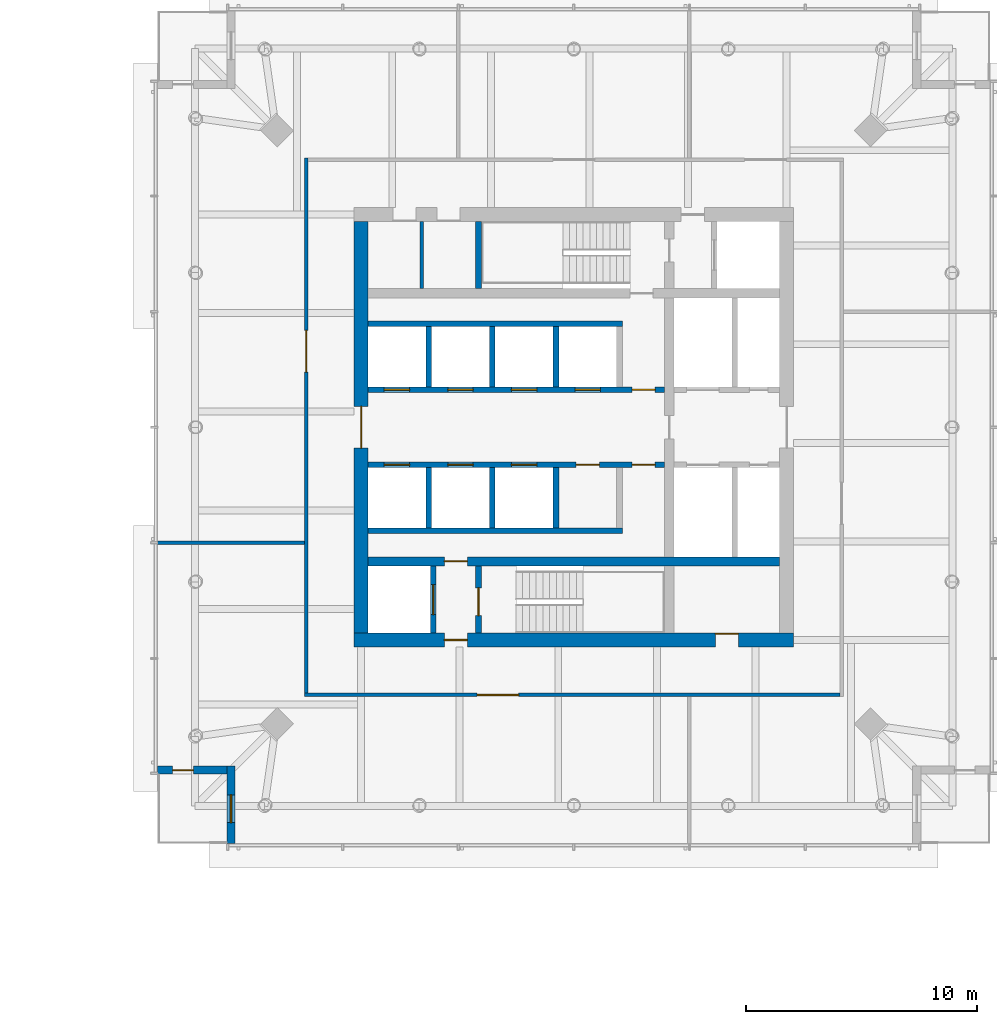
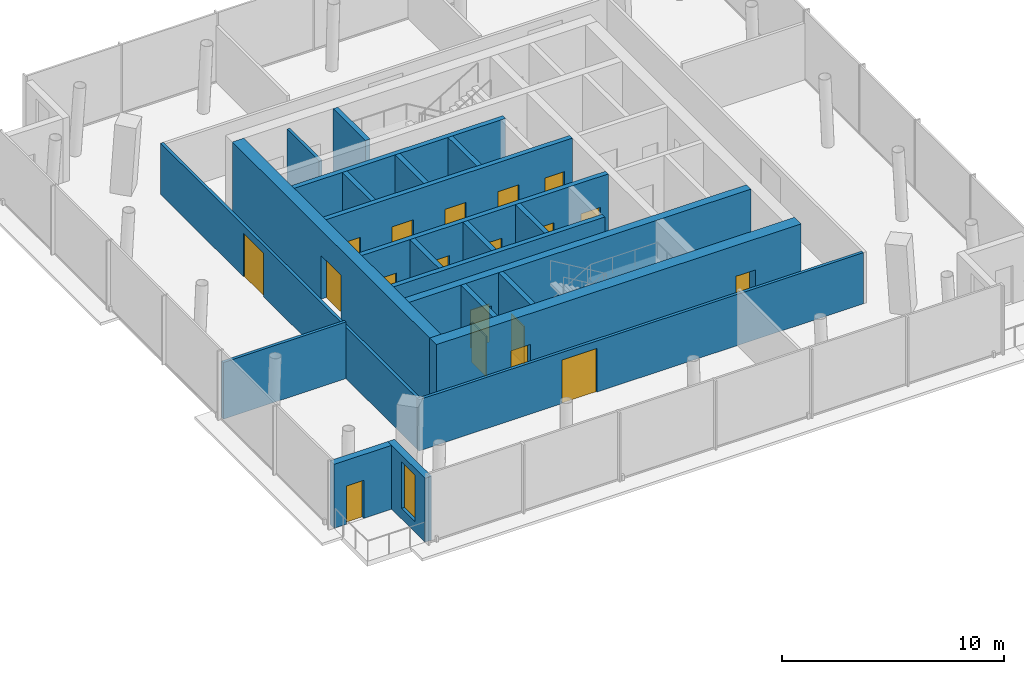
# One storey, part 13 of 28: 22 walls, 19 doors, 1 window, 20 openings.
"""IFC4 building model written with IfcOpenShell, lengths in metres."""

from ifc_helpers import new_model, si_unit, direction, frame, frame_2d, origin, place, context, subcontext, project, spatial, rectangle, extrude, material, layer, layer_set, type_object, element, fill, save


model = new_model("IFC4")

# Units and contexts
model_context = context("Model", 3, precision=1e-05, world=origin(), true_north=direction((0.0, 1.0)))
body_context = subcontext(model_context, "Body", "Model", "MODEL_VIEW")
ifc_project = project(units=[si_unit("LENGTHUNIT", "METRE"), si_unit("AREAUNIT", "SQUARE_METRE"), si_unit("VOLUMEUNIT", "CUBIC_METRE"), si_unit("PLANEANGLEUNIT", "RADIAN"), si_unit("MASSUNIT", "GRAM", prefix="KILO")], contexts=[model_context])

# Site, building, storey
site_placement = place(None, origin())
site = spatial("IfcSite", under=ifc_project, at=site_placement, CompositionType="ELEMENT")
building_placement = place(site_placement, origin())
building = spatial("IfcBuilding", under=site, at=building_placement, Name="Ostroluk Exchange", CompositionType="ELEMENT")
storey_placement = place(building_placement, frame((0.0, 0.0, 81.800048828125)))
storey = spatial("IfcBuildingStorey", under=building, at=storey_placement, Name="L20", CompositionType="ELEMENT", Elevation=81.800048828125)

# Wall
ifc_material_1 = material(Name="Concrete blockwork", Category="masonry")
ifc_layer_1 = layer(ifc_material_1, 0.14990234375)
ifc_layer_set_1 = layer_set([ifc_layer_1], Name="Blockwork plant room wall 150")
wall_type_1 = type_object("IfcWallType", Name="Blockwork plant room wall 150", PredefinedType="SOLIDWALL", material=ifc_layer_set_1)
wall_1_placement = place(storey_placement, frame((110.425048828125, 52.0, 0.0), z_axis=(0.0, 0.0, 1.0), x_axis=(0.0, 1.0, 0.0)))
element("IfcWall", 1, at=wall_1_placement, inside=storey, type_object=wall_type_1, Name="Core room wall", PredefinedType="SOLIDWALL", context=body_context, shape_type="SweptSolid", body=[
    extrude(rectangle(XDim=2.89990234375, YDim=0.14990234375, at=frame_2d((1.449951171875, 0.0))), origin(), (0.0, 0.0, 1.0), 3.52001953125),
])

# Wall, opening, door
ifc_material_2 = material(Name="Concrete C50/60", Category="concrete")
ifc_layer_2 = layer(ifc_material_2, 0.39990234375)
ifc_layer_set_2 = layer_set([ifc_layer_2], Name="Core cross wall 400 C50/60")
wall_type_2 = type_object("IfcWallType", Name="Core cross wall 400 C50/60", PredefinedType="SHEAR", material=ifc_layer_set_2)
wall_2_placement = place(storey_placement, frame((108.10009765625, 40.199951171875, 0.0), z_axis=(0.0, 0.0, 1.0), x_axis=(1.0, 0.0, 0.0)))
wall_2 = element("IfcWall", 2, at=wall_2_placement, inside=storey, type_object=wall_type_2, Name="T2 core wall XS", PredefinedType="SHEAR", context=body_context, shape_type="SweptSolid", body=[
    extrude(rectangle(XDim=17.7998046875, YDim=0.39990234375, at=frame_2d((8.89990234375, 0.0))), origin(), (0.0, 0.0, 1.0), 3.800048828125),
])
opening_1_placement = place(wall_2_placement, frame((3.300048828125, 0.0, 0.0)))
opening_1 = element("IfcOpeningElement", 3, at=opening_1_placement, cuts=wall_2, Name="Opening FD60", PredefinedType="OPENING", context=body_context, shape_type="SweptSolid", body=[
    extrude(rectangle(XDim=1.0, YDim=2.10009765625, at=frame_2d((0.5, 1.050048828125))), frame((0.0, 0.2099609375, 0.0), z_axis=(0.0, -1.0, 0.0), x_axis=(1.0, 0.0, 0.0)), (0.0, 0.0, 1.0), 0.419921875),
])
ifc_material_3 = material(Name="Steel", Category="steel")
door_type_1 = type_object("IfcDoorType", Name="Fire door EI 60 1000 x 2100", OperationType="SINGLE_SWING_LEFT", PredefinedType="DOOR", material=ifc_material_3)
door_1_placement = place(opening_1_placement, origin())
door_1 = element("IfcDoor", 4, at=door_1_placement, inside=storey, type_object=door_type_1, Name="Core link door", OperationType="SINGLE_SWING_LEFT", OverallHeight=2.10009765625, OverallWidth=1.0, PredefinedType="DOOR", context=body_context, shape_type="SweptSolid", body=[
    extrude(rectangle(XDim=1.0, YDim=2.10009765625, at=frame_2d((0.5, 1.050048828125))), frame((0.0, 0.02490234375, 0.0), z_axis=(0.0, -1.0, 0.0), x_axis=(1.0, 0.0, 0.0)), (0.0, 0.0, 1.0), 0.050048828125),
])
fill(opening_1, door_1)

ifc_material_4 = material(Name="Concrete C40/50", Category="concrete")
ifc_layer_3 = layer(ifc_material_4, 0.25)
ifc_layer_set_3 = layer_set([ifc_layer_3], Name="Core shaft wall 250")
wall_type_3 = type_object("IfcWallType", Name="Core shaft wall 250", PredefinedType="SHEAR", material=ifc_layer_set_3)
wall_3_placement = place(storey_placement, frame((110.925048828125, 37.10009765625, 0.0), z_axis=(0.0, 0.0, 1.0), x_axis=(0.0, 1.0, 0.0)))
wall_3 = element("IfcWall", 5, at=wall_3_placement, inside=storey, type_object=wall_type_3, Name="Firefighting lift shaft wall", PredefinedType="SHEAR", context=body_context, shape_type="SweptSolid", body=[
    extrude(rectangle(XDim=2.89990234375, YDim=0.25, at=frame_2d((1.449951171875, 0.0))), origin(), (0.0, 0.0, 1.0), 3.800048828125),
])
opening_2_placement = place(wall_3_placement, frame((0.800048828125, 0.0, 0.0)))
opening_2 = element("IfcOpeningElement", 6, at=opening_2_placement, cuts=wall_3, Name="Opening LD2", PredefinedType="OPENING", context=body_context, shape_type="SweptSolid", body=[
    extrude(rectangle(XDim=1.300048828125, YDim=2.199951171875, at=frame_2d((0.64990234375, 1.10009765625))), frame((0.0, 0.135009765625, 0.0), z_axis=(0.0, -1.0, 0.0), x_axis=(1.0, 0.0, 0.0)), (0.0, 0.0, 1.0), 0.27001953125),
])
ifc_material_5 = material(Name="Stainless steel", Category="steel")
door_type_2 = type_object("IfcDoorType", Name="Lift landing door E 60 1300 x 2200", OperationType="DOUBLE_DOOR_SLIDING", PredefinedType="DOOR", material=ifc_material_5)
door_2_placement = place(opening_2_placement, origin())
door_2 = element("IfcDoor", 7, at=door_2_placement, inside=storey, type_object=door_type_2, Name="Lift HF1 landing door", OperationType="DOUBLE_DOOR_SLIDING", OverallHeight=2.199951171875, OverallWidth=1.300048828125, PredefinedType="DOOR", context=body_context, shape_type="SweptSolid", body=[
    extrude(rectangle(XDim=1.300048828125, YDim=2.199951171875, at=frame_2d((0.64990234375, 1.10009765625))), frame((0.0, 0.02490234375, 0.0), z_axis=(0.0, -1.0, 0.0), x_axis=(1.0, 0.0, 0.0)), (0.0, 0.0, 1.0), 0.050048828125),
])
fill(opening_2, door_2)

wall_4_placement = place(storey_placement, frame((112.875, 37.10009765625, 0.0), z_axis=(0.0, 0.0, 1.0), x_axis=(0.0, 1.0, 0.0)))
wall_4 = element("IfcWall", 8, at=wall_4_placement, inside=storey, type_object=wall_type_3, Name="Stair shaft wall", PredefinedType="SHEAR", context=body_context, shape_type="SweptSolid", body=[
    extrude(rectangle(XDim=2.89990234375, YDim=0.25, at=frame_2d((1.449951171875, 0.0))), origin(), (0.0, 0.0, 1.0), 3.800048828125),
])
opening_3_placement = place(wall_4_placement, frame((0.75, 0.0, 0.0)))
opening_3 = element("IfcOpeningElement", 9, at=opening_3_placement, cuts=wall_4, Name="Opening FD60S", PredefinedType="OPENING", context=body_context, shape_type="SweptSolid", body=[
    extrude(rectangle(XDim=1.199951171875, YDim=2.10009765625, at=frame_2d((0.60009765625, 1.050048828125))), frame((0.0, 0.135009765625, 0.0), z_axis=(0.0, -1.0, 0.0), x_axis=(1.0, 0.0, 0.0)), (0.0, 0.0, 1.0), 0.27001953125),
])
ifc_material_6 = material(Name="Steel", Category="steel")
door_type_3 = type_object("IfcDoorType", Name="Stair door EI 60 1200 x 2100", OperationType="SINGLE_SWING_LEFT", PredefinedType="DOOR", material=ifc_material_6)
door_3_placement = place(opening_3_placement, origin())
door_3 = element("IfcDoor", 10, at=door_3_placement, inside=storey, type_object=door_type_3, Name="Stair T2-S1 door", OperationType="SINGLE_SWING_LEFT", OverallHeight=2.10009765625, OverallWidth=1.199951171875, PredefinedType="DOOR", context=body_context, shape_type="SweptSolid", body=[
    extrude(rectangle(XDim=1.199951171875, YDim=2.10009765625, at=frame_2d((0.60009765625, 1.050048828125))), frame((0.0, 0.02490234375, 0.0), z_axis=(0.0, -1.0, 0.0), x_axis=(1.0, 0.0, 0.0)), (0.0, 0.0, 1.0), 0.050048828125),
])
fill(opening_3, door_3)

# Walls
wall_5_placement = place(storey_placement, frame((112.875, 52.0, 0.0), z_axis=(0.0, 0.0, 1.0), x_axis=(0.0, 1.0, 0.0)))
element("IfcWall", 11, at=wall_5_placement, inside=storey, type_object=wall_type_3, Name="Stair shaft wall", PredefinedType="SHEAR", context=body_context, shape_type="SweptSolid", body=[
    extrude(rectangle(XDim=2.89990234375, YDim=0.25, at=frame_2d((1.449951171875, 0.0))), origin(), (0.0, 0.0, 1.0), 3.800048828125),
])
for number, where, z_axis, x_axis, name in (
    (12, (110.72509765625, 47.75, 0.0), (0.0, 0.0, 1.0), (0.0, 1.0, 0.0), "Lift shaft wall"),
    (13, (113.47509765625, 47.75, 0.0), (0.0, 0.0, 1.0), (0.0, 1.0, 0.0), "Lift shaft wall"),
    (14, (116.22509765625, 47.75, 0.0), (0.0, 0.0, 1.0), (0.0, 1.0, 0.0), "Lift shaft wall"),
):
    element("IfcWall", number, at=place(storey_placement, frame(where, z_axis=z_axis, x_axis=x_axis)), inside=storey, type_object=wall_type_3, Name=name, PredefinedType="SHEAR", context=body_context, shape_type="SweptSolid", body=[
        extrude(rectangle(XDim=2.60009765625, YDim=0.25, at=frame_2d((1.300048828125, 0.0))), origin(), (0.0, 0.0, 1.0), 3.800048828125),
    ])
wall_6_placement = place(storey_placement, frame((108.10009765625, 50.47509765625, 0.0), z_axis=(0.0, 0.0, 1.0), x_axis=(1.0, 0.0, 0.0)))
element("IfcWall", 15, at=wall_6_placement, inside=storey, type_object=wall_type_3, Name="Lift shaft wall", PredefinedType="SHEAR", context=body_context, shape_type="SweptSolid", body=[
    extrude(rectangle(XDim=11.0, YDim=0.25, at=frame_2d((5.5, 0.0))), origin(), (0.0, 0.0, 1.0), 3.800048828125),
])

# Wall, openings, doors
wall_7_placement = place(storey_placement, frame((108.10009765625, 47.625, 0.0), z_axis=(0.0, 0.0, 1.0), x_axis=(1.0, 0.0, 0.0)))
wall_7 = element("IfcWall", 16, at=wall_7_placement, inside=storey, type_object=wall_type_3, Name="Lift shaft front wall", PredefinedType="SHEAR", context=body_context, shape_type="SweptSolid", body=[
    extrude(rectangle(XDim=12.829833984375, YDim=0.25, at=frame_2d((6.4150390625, 0.0))), origin(), (0.0, 0.0, 1.0), 3.800048828125),
])
opening_4_placement = place(wall_7_placement, frame((0.699951171875, 0.0, 0.0)))
opening_4 = element("IfcOpeningElement", 17, at=opening_4_placement, cuts=wall_7, Name="Opening LD", PredefinedType="OPENING", context=body_context, shape_type="SweptSolid", body=[
    extrude(rectangle(XDim=1.10009765625, YDim=2.199951171875, at=frame_2d((0.550048828125, 1.10009765625))), frame((0.0, 0.135009765625, 0.0), z_axis=(0.0, -1.0, 0.0), x_axis=(1.0, 0.0, 0.0)), (0.0, 0.0, 1.0), 0.27001953125),
])
opening_5_placement = place(wall_7_placement, frame((3.449951171875, 0.0, 0.0)))
opening_5 = element("IfcOpeningElement", 18, at=opening_5_placement, cuts=wall_7, Name="Opening LD", PredefinedType="OPENING", context=body_context, shape_type="SweptSolid", body=[
    extrude(rectangle(XDim=1.10009765625, YDim=2.199951171875, at=frame_2d((0.550048828125, 1.10009765625))), frame((0.0, 0.135009765625, 0.0), z_axis=(0.0, -1.0, 0.0), x_axis=(1.0, 0.0, 0.0)), (0.0, 0.0, 1.0), 0.27001953125),
])
opening_6_placement = place(wall_7_placement, frame((6.199951171875, 0.0, 0.0)))
opening_6 = element("IfcOpeningElement", 19, at=opening_6_placement, cuts=wall_7, Name="Opening LD", PredefinedType="OPENING", context=body_context, shape_type="SweptSolid", body=[
    extrude(rectangle(XDim=1.10009765625, YDim=2.199951171875, at=frame_2d((0.550048828125, 1.10009765625))), frame((0.0, 0.135009765625, 0.0), z_axis=(0.0, -1.0, 0.0), x_axis=(1.0, 0.0, 0.0)), (0.0, 0.0, 1.0), 0.27001953125),
])
opening_7_placement = place(wall_7_placement, frame((8.949951171875, 0.0, 0.0)))
opening_7 = element("IfcOpeningElement", 20, at=opening_7_placement, cuts=wall_7, Name="Opening LD", PredefinedType="OPENING", context=body_context, shape_type="SweptSolid", body=[
    extrude(rectangle(XDim=1.10009765625, YDim=2.199951171875, at=frame_2d((0.550048828125, 1.10009765625))), frame((0.0, 0.135009765625, 0.0), z_axis=(0.0, -1.0, 0.0), x_axis=(1.0, 0.0, 0.0)), (0.0, 0.0, 1.0), 0.27001953125),
])
opening_8_placement = place(wall_7_placement, frame((11.4150390625, 0.0, 0.0)))
opening_8 = element("IfcOpeningElement", 21, at=opening_8_placement, cuts=wall_7, Name="Opening FD60", PredefinedType="OPENING", context=body_context, shape_type="SweptSolid", body=[
    extrude(rectangle(XDim=1.0, YDim=2.10009765625, at=frame_2d((0.5, 1.050048828125))), frame((0.0, 0.135009765625, 0.0), z_axis=(0.0, -1.0, 0.0), x_axis=(1.0, 0.0, 0.0)), (0.0, 0.0, 1.0), 0.27001953125),
])
door_4_placement = place(opening_8_placement, origin())
door_4 = element("IfcDoor", 22, at=door_4_placement, inside=storey, type_object=door_type_1, Name="Core link door", OperationType="SINGLE_SWING_RIGHT", OverallHeight=2.10009765625, OverallWidth=1.0, PredefinedType="DOOR", context=body_context, shape_type="SweptSolid", body=[
    extrude(rectangle(XDim=1.0, YDim=2.10009765625, at=frame_2d((0.5, 1.050048828125))), frame((0.0, 0.02490234375, 0.0), z_axis=(0.0, -1.0, 0.0), x_axis=(1.0, 0.0, 0.0)), (0.0, 0.0, 1.0), 0.050048828125),
])
fill(opening_8, door_4)
ifc_material_7 = material(Name="Stainless steel", Category="steel")
door_type_4 = type_object("IfcDoorType", Name="Lift landing door E 60 1100 x 2200", OperationType="DOUBLE_DOOR_SLIDING", PredefinedType="DOOR", material=ifc_material_7)
door_5_placement = place(opening_4_placement, origin())
door_5 = element("IfcDoor", 23, at=door_5_placement, inside=storey, type_object=door_type_4, Name="Lift HL1 landing door", OperationType="DOUBLE_DOOR_SLIDING", OverallHeight=2.199951171875, OverallWidth=1.10009765625, PredefinedType="DOOR", context=body_context, shape_type="SweptSolid", body=[
    extrude(rectangle(XDim=1.10009765625, YDim=2.199951171875, at=frame_2d((0.550048828125, 1.10009765625))), frame((0.0, 0.02490234375, 0.0), z_axis=(0.0, -1.0, 0.0), x_axis=(1.0, 0.0, 0.0)), (0.0, 0.0, 1.0), 0.050048828125),
])
fill(opening_4, door_5)
door_6_placement = place(opening_5_placement, origin())
door_6 = element("IfcDoor", 24, at=door_6_placement, inside=storey, type_object=door_type_4, Name="Lift HL2 landing door", OperationType="DOUBLE_DOOR_SLIDING", OverallHeight=2.199951171875, OverallWidth=1.10009765625, PredefinedType="DOOR", context=body_context, shape_type="SweptSolid", body=[
    extrude(rectangle(XDim=1.10009765625, YDim=2.199951171875, at=frame_2d((0.550048828125, 1.10009765625))), frame((0.0, 0.02490234375, 0.0), z_axis=(0.0, -1.0, 0.0), x_axis=(1.0, 0.0, 0.0)), (0.0, 0.0, 1.0), 0.050048828125),
])
fill(opening_5, door_6)
door_7_placement = place(opening_6_placement, origin())
door_7 = element("IfcDoor", 25, at=door_7_placement, inside=storey, type_object=door_type_4, Name="Lift HL3 landing door", OperationType="DOUBLE_DOOR_SLIDING", OverallHeight=2.199951171875, OverallWidth=1.10009765625, PredefinedType="DOOR", context=body_context, shape_type="SweptSolid", body=[
    extrude(rectangle(XDim=1.10009765625, YDim=2.199951171875, at=frame_2d((0.550048828125, 1.10009765625))), frame((0.0, 0.02490234375, 0.0), z_axis=(0.0, -1.0, 0.0), x_axis=(1.0, 0.0, 0.0)), (0.0, 0.0, 1.0), 0.050048828125),
])
fill(opening_6, door_7)
door_8_placement = place(opening_7_placement, origin())
door_8 = element("IfcDoor", 26, at=door_8_placement, inside=storey, type_object=door_type_4, Name="Lift HL4 landing door", OperationType="DOUBLE_DOOR_SLIDING", OverallHeight=2.199951171875, OverallWidth=1.10009765625, PredefinedType="DOOR", context=body_context, shape_type="SweptSolid", body=[
    extrude(rectangle(XDim=1.10009765625, YDim=2.199951171875, at=frame_2d((0.550048828125, 1.10009765625))), frame((0.0, 0.02490234375, 0.0), z_axis=(0.0, -1.0, 0.0), x_axis=(1.0, 0.0, 0.0)), (0.0, 0.0, 1.0), 0.050048828125),
])
fill(opening_7, door_8)

# Walls
for number, where, z_axis, x_axis, name in (
    (27, (110.72509765625, 44.25, 0.0), (0.0, 0.0, 1.0), (0.0, -1.0, 0.0), "Lift shaft wall"),
    (28, (113.47509765625, 44.25, 0.0), (0.0, 0.0, 1.0), (0.0, -1.0, 0.0), "Lift shaft wall"),
    (29, (116.22509765625, 44.25, 0.0), (0.0, 0.0, 1.0), (0.0, -1.0, 0.0), "Lift shaft wall"),
):
    element("IfcWall", number, at=place(storey_placement, frame(where, z_axis=z_axis, x_axis=x_axis)), inside=storey, type_object=wall_type_3, Name=name, PredefinedType="SHEAR", context=body_context, shape_type="SweptSolid", body=[
        extrude(rectangle(XDim=2.60009765625, YDim=0.25, at=frame_2d((1.300048828125, 0.0))), origin(), (0.0, 0.0, 1.0), 3.800048828125),
    ])
wall_8_placement = place(storey_placement, frame((108.10009765625, 41.52490234375, 0.0), z_axis=(0.0, 0.0, 1.0), x_axis=(1.0, 0.0, 0.0)))
element("IfcWall", 30, at=wall_8_placement, inside=storey, type_object=wall_type_3, Name="Lift shaft wall", PredefinedType="SHEAR", context=body_context, shape_type="SweptSolid", body=[
    extrude(rectangle(XDim=11.0, YDim=0.25, at=frame_2d((5.5, 0.0))), origin(), (0.0, 0.0, 1.0), 3.800048828125),
])

# Wall, openings, doors
wall_9_placement = place(storey_placement, frame((108.10009765625, 44.375, 0.0), z_axis=(0.0, 0.0, 1.0), x_axis=(1.0, 0.0, 0.0)))
wall_9 = element("IfcWall", 31, at=wall_9_placement, inside=storey, type_object=wall_type_3, Name="Lift shaft front wall", PredefinedType="SHEAR", context=body_context, shape_type="SweptSolid", body=[
    extrude(rectangle(XDim=12.829833984375, YDim=0.25, at=frame_2d((6.4150390625, 0.0))), origin(), (0.0, 0.0, 1.0), 3.800048828125),
])
opening_9_placement = place(wall_9_placement, frame((0.699951171875, 0.0, 0.0)))
opening_9 = element("IfcOpeningElement", 32, at=opening_9_placement, cuts=wall_9, Name="Opening LD", PredefinedType="OPENING", context=body_context, shape_type="SweptSolid", body=[
    extrude(rectangle(XDim=1.10009765625, YDim=2.199951171875, at=frame_2d((0.550048828125, 1.10009765625))), frame((0.0, 0.135009765625, 0.0), z_axis=(0.0, -1.0, 0.0), x_axis=(1.0, 0.0, 0.0)), (0.0, 0.0, 1.0), 0.27001953125),
])
opening_10_placement = place(wall_9_placement, frame((3.449951171875, 0.0, 0.0)))
opening_10 = element("IfcOpeningElement", 33, at=opening_10_placement, cuts=wall_9, Name="Opening LD", PredefinedType="OPENING", context=body_context, shape_type="SweptSolid", body=[
    extrude(rectangle(XDim=1.10009765625, YDim=2.199951171875, at=frame_2d((0.550048828125, 1.10009765625))), frame((0.0, 0.135009765625, 0.0), z_axis=(0.0, -1.0, 0.0), x_axis=(1.0, 0.0, 0.0)), (0.0, 0.0, 1.0), 0.27001953125),
])
opening_11_placement = place(wall_9_placement, frame((6.199951171875, 0.0, 0.0)))
opening_11 = element("IfcOpeningElement", 34, at=opening_11_placement, cuts=wall_9, Name="Opening LD", PredefinedType="OPENING", context=body_context, shape_type="SweptSolid", body=[
    extrude(rectangle(XDim=1.10009765625, YDim=2.199951171875, at=frame_2d((0.550048828125, 1.10009765625))), frame((0.0, 0.135009765625, 0.0), z_axis=(0.0, -1.0, 0.0), x_axis=(1.0, 0.0, 0.0)), (0.0, 0.0, 1.0), 0.27001953125),
])
opening_12_placement = place(wall_9_placement, frame((9.0, 0.0, 0.0)))
opening_12 = element("IfcOpeningElement", 35, at=opening_12_placement, cuts=wall_9, Name="Opening FD60", PredefinedType="OPENING", context=body_context, shape_type="SweptSolid", body=[
    extrude(rectangle(XDim=1.0, YDim=2.10009765625, at=frame_2d((0.5, 1.050048828125))), frame((0.0, 0.135009765625, 0.0), z_axis=(0.0, -1.0, 0.0), x_axis=(1.0, 0.0, 0.0)), (0.0, 0.0, 1.0), 0.27001953125),
])
opening_13_placement = place(wall_9_placement, frame((11.4150390625, 0.0, 0.0)))
opening_13 = element("IfcOpeningElement", 36, at=opening_13_placement, cuts=wall_9, Name="Opening FD60", PredefinedType="OPENING", context=body_context, shape_type="SweptSolid", body=[
    extrude(rectangle(XDim=1.0, YDim=2.10009765625, at=frame_2d((0.5, 1.050048828125))), frame((0.0, 0.135009765625, 0.0), z_axis=(0.0, -1.0, 0.0), x_axis=(1.0, 0.0, 0.0)), (0.0, 0.0, 1.0), 0.27001953125),
])
door_9_placement = place(opening_12_placement, origin())
door_9 = element("IfcDoor", 37, at=door_9_placement, inside=storey, type_object=door_type_1, Name="Core room door", OperationType="SINGLE_SWING_RIGHT", OverallHeight=2.10009765625, OverallWidth=1.0, PredefinedType="DOOR", context=body_context, shape_type="SweptSolid", body=[
    extrude(rectangle(XDim=1.0, YDim=2.10009765625, at=frame_2d((0.5, 1.050048828125))), frame((0.0, 0.02490234375, 0.0), z_axis=(0.0, -1.0, 0.0), x_axis=(1.0, 0.0, 0.0)), (0.0, 0.0, 1.0), 0.050048828125),
])
fill(opening_12, door_9)
door_10_placement = place(opening_13_placement, origin())
door_10 = element("IfcDoor", 38, at=door_10_placement, inside=storey, type_object=door_type_1, Name="Core link door", OperationType="SINGLE_SWING_RIGHT", OverallHeight=2.10009765625, OverallWidth=1.0, PredefinedType="DOOR", context=body_context, shape_type="SweptSolid", body=[
    extrude(rectangle(XDim=1.0, YDim=2.10009765625, at=frame_2d((0.5, 1.050048828125))), frame((0.0, 0.02490234375, 0.0), z_axis=(0.0, -1.0, 0.0), x_axis=(1.0, 0.0, 0.0)), (0.0, 0.0, 1.0), 0.050048828125),
])
fill(opening_13, door_10)
door_11_placement = place(opening_9_placement, origin())
door_11 = element("IfcDoor", 39, at=door_11_placement, inside=storey, type_object=door_type_4, Name="Lift HL5 landing door", OperationType="DOUBLE_DOOR_SLIDING", OverallHeight=2.199951171875, OverallWidth=1.10009765625, PredefinedType="DOOR", context=body_context, shape_type="SweptSolid", body=[
    extrude(rectangle(XDim=1.10009765625, YDim=2.199951171875, at=frame_2d((0.550048828125, 1.10009765625))), frame((0.0, 0.02490234375, 0.0), z_axis=(0.0, -1.0, 0.0), x_axis=(1.0, 0.0, 0.0)), (0.0, 0.0, 1.0), 0.050048828125),
])
fill(opening_9, door_11)
door_12_placement = place(opening_10_placement, origin())
door_12 = element("IfcDoor", 40, at=door_12_placement, inside=storey, type_object=door_type_4, Name="Lift HL6 landing door", OperationType="DOUBLE_DOOR_SLIDING", OverallHeight=2.199951171875, OverallWidth=1.10009765625, PredefinedType="DOOR", context=body_context, shape_type="SweptSolid", body=[
    extrude(rectangle(XDim=1.10009765625, YDim=2.199951171875, at=frame_2d((0.550048828125, 1.10009765625))), frame((0.0, 0.02490234375, 0.0), z_axis=(0.0, -1.0, 0.0), x_axis=(1.0, 0.0, 0.0)), (0.0, 0.0, 1.0), 0.050048828125),
])
fill(opening_10, door_12)
door_13_placement = place(opening_11_placement, origin())
door_13 = element("IfcDoor", 41, at=door_13_placement, inside=storey, type_object=door_type_4, Name="Lift HL7 landing door", OperationType="DOUBLE_DOOR_SLIDING", OverallHeight=2.199951171875, OverallWidth=1.10009765625, PredefinedType="DOOR", context=body_context, shape_type="SweptSolid", body=[
    extrude(rectangle(XDim=1.10009765625, YDim=2.199951171875, at=frame_2d((0.550048828125, 1.10009765625))), frame((0.0, 0.02490234375, 0.0), z_axis=(0.0, -1.0, 0.0), x_axis=(1.0, 0.0, 0.0)), (0.0, 0.0, 1.0), 0.050048828125),
])
fill(opening_11, door_13)

ifc_material_8 = material(Name="Concrete C50/60", Category="concrete")
ifc_layer_4 = layer(ifc_material_8, 0.60009765625)
ifc_layer_set_4 = layer_set([ifc_layer_4], Name="Core wall 600 C50/60")
wall_type_4 = type_object("IfcWallType", Name="Core wall 600 C50/60", PredefinedType="SHEAR", material=ifc_layer_set_4)
wall_10_placement = place(storey_placement, frame((107.5, 36.800048828125, 0.0), z_axis=(0.0, 0.0, 1.0), x_axis=(1.0, 0.0, 0.0)))
wall_10 = element("IfcWall", 42, at=wall_10_placement, inside=storey, type_object=wall_type_4, Name="T2 core wall S", PredefinedType="SHEAR", context=body_context, shape_type="SweptSolid", body=[
    extrude(rectangle(XDim=19.0, YDim=0.60009765625, at=frame_2d((9.5, 0.0))), origin(), (0.0, 0.0, 1.0), 3.800048828125),
])
opening_14_placement = place(wall_10_placement, frame((3.89990234375, 0.0, 0.0)))
opening_14 = element("IfcOpeningElement", 43, at=opening_14_placement, cuts=wall_10, Name="Opening FD60", PredefinedType="OPENING", context=body_context, shape_type="SweptSolid", body=[
    extrude(rectangle(XDim=1.0, YDim=2.10009765625, at=frame_2d((0.5, 1.050048828125))), frame((0.0, 0.31005859375, 0.0), z_axis=(0.0, -1.0, 0.0), x_axis=(1.0, 0.0, 0.0)), (0.0, 0.0, 1.0), 0.6201171875),
])
opening_15_placement = place(wall_10_placement, frame((15.614990234375, 0.0, 0.0)))
opening_15 = element("IfcOpeningElement", 44, at=opening_15_placement, cuts=wall_10, Name="Opening FD60", PredefinedType="OPENING", context=body_context, shape_type="SweptSolid", body=[
    extrude(rectangle(XDim=1.0, YDim=2.10009765625, at=frame_2d((0.5, 1.050048828125))), frame((0.0, 0.31005859375, 0.0), z_axis=(0.0, -1.0, 0.0), x_axis=(1.0, 0.0, 0.0)), (0.0, 0.0, 1.0), 0.6201171875),
])
door_14_placement = place(opening_14_placement, origin())
door_14 = element("IfcDoor", 45, at=door_14_placement, inside=storey, type_object=door_type_1, Name="Firefighting lobby door", OperationType="SINGLE_SWING_LEFT", OverallHeight=2.10009765625, OverallWidth=1.0, PredefinedType="DOOR", context=body_context, shape_type="SweptSolid", body=[
    extrude(rectangle(XDim=1.0, YDim=2.10009765625, at=frame_2d((0.5, 1.050048828125))), frame((0.0, 0.02490234375, 0.0), z_axis=(0.0, -1.0, 0.0), x_axis=(1.0, 0.0, 0.0)), (0.0, 0.0, 1.0), 0.050048828125),
])
fill(opening_14, door_14)
door_15_placement = place(opening_15_placement, origin())
door_15 = element("IfcDoor", 46, at=door_15_placement, inside=storey, type_object=door_type_1, Name="Plant control room door", OperationType="SINGLE_SWING_RIGHT", OverallHeight=2.10009765625, OverallWidth=1.0, PredefinedType="DOOR", context=body_context, shape_type="SweptSolid", body=[
    extrude(rectangle(XDim=1.0, YDim=2.10009765625, at=frame_2d((0.5, 1.050048828125))), frame((0.0, 0.2900390625, 0.0), z_axis=(0.0, -1.0, 0.0), x_axis=(1.0, 0.0, 0.0)), (0.0, 0.0, 1.0), 0.050048828125),
])
fill(opening_15, door_15)

# Wall, opening, door
wall_11_placement = place(storey_placement, frame((107.800048828125, 37.10009765625, 0.0), z_axis=(0.0, 0.0, 1.0), x_axis=(0.0, 1.0, 0.0)))
wall_11 = element("IfcWall", 47, at=wall_11_placement, inside=storey, type_object=wall_type_4, Name="T2 core wall W", PredefinedType="SHEAR", context=body_context, shape_type="SweptSolid", body=[
    extrude(rectangle(XDim=17.7998046875, YDim=0.60009765625, at=frame_2d((8.89990234375, 0.0))), origin(), (0.0, 0.0, 1.0), 3.800048828125),
])
opening_16_placement = place(wall_11_placement, frame((8.0, 0.0, 0.0)))
opening_16 = element("IfcOpeningElement", 48, at=opening_16_placement, cuts=wall_11, Name="Opening FD30D", PredefinedType="OPENING", context=body_context, shape_type="SweptSolid", body=[
    extrude(rectangle(XDim=1.800048828125, YDim=2.39990234375, at=frame_2d((0.89990234375, 1.199951171875))), frame((0.0, 0.31005859375, 0.0), z_axis=(0.0, -1.0, 0.0), x_axis=(1.0, 0.0, 0.0)), (0.0, 0.0, 1.0), 0.6201171875),
])
ifc_material_9 = material(Name="Timber", Category="wood")
door_type_5 = type_object("IfcDoorType", Name="Lobby double door EI 30 1800 x 2400", OperationType="DOUBLE_DOOR_SINGLE_SWING", PredefinedType="DOOR", material=ifc_material_9)
door_16_placement = place(opening_16_placement, origin())
door_16 = element("IfcDoor", 49, at=door_16_placement, inside=storey, type_object=door_type_5, Name="Lift lobby doors", OperationType="DOUBLE_DOOR_SINGLE_SWING", OverallHeight=2.39990234375, OverallWidth=1.800048828125, PredefinedType="DOOR", context=body_context, shape_type="SweptSolid", body=[
    extrude(rectangle(XDim=1.800048828125, YDim=2.39990234375, at=frame_2d((0.89990234375, 1.199951171875))), frame((0.0, 0.02490234375, 0.0), z_axis=(0.0, -1.0, 0.0), x_axis=(1.0, 0.0, 0.0)), (0.0, 0.0, 1.0), 0.050048828125),
])
fill(opening_16, door_16)

# Wall, opening, window
ifc_material_10 = material(Name="Limestone", Category="masonry")
ifc_layer_5 = layer(ifc_material_10, 0.35009765625)
ifc_layer_set_5 = layer_set([ifc_layer_5], Name="Limestone facade wall 350")
wall_type_5 = type_object("IfcWallType", Name="Limestone facade wall 350", PredefinedType="SOLIDWALL", material=ifc_layer_set_5)
wall_12_placement = place(storey_placement, frame((102.175048828125, 28.0, 0.0), z_axis=(0.0, 0.0, 1.0), x_axis=(0.0, 1.0, 0.0)))
wall_12 = element("IfcWall", 50, at=wall_12_placement, inside=storey, type_object=wall_type_5, Name="Hotel tower SW corner wall L20 a", PredefinedType="SOLIDWALL", context=body_context, shape_type="SweptSolid", body=[
    extrude(rectangle(XDim=3.35009765625, YDim=0.35009765625, at=frame_2d((1.675048828125, 0.0))), origin(), (0.0, 0.0, 1.0), 3.52001953125),
])
opening_17_placement = place(wall_12_placement, frame((0.89990234375, 0.0, 0.60009765625)))
opening_17 = element("IfcOpeningElement", 51, at=opening_17_placement, cuts=wall_12, Name="Opening WN-LV1", PredefinedType="OPENING", context=body_context, shape_type="SweptSolid", body=[
    extrude(rectangle(XDim=1.199951171875, YDim=2.550048828125, at=frame_2d((0.60009765625, 1.27490234375))), frame((0.0, 0.18505859375, 0.0), z_axis=(0.0, -1.0, 0.0), x_axis=(1.0, 0.0, 0.0)), (0.0, 0.0, 1.0), 0.3701171875),
])
ifc_material_11 = material(Name="Aluminium louvre", Category="aluminium")
window_type = type_object("IfcWindowType", Name="Lancet louvre 1200 x 2550", PartitioningType="SINGLE_PANEL", PredefinedType="USERDEFINED", material=ifc_material_11)
window_placement = place(opening_17_placement, origin())
window = element("IfcWindow", 52, at=window_placement, inside=storey, type_object=window_type, Name="Hotel tower SW plant louvre L20", ObjectType="LOUVRE", OverallHeight=2.550048828125, OverallWidth=1.199951171875, PartitioningType="SINGLE_PANEL", PredefinedType="USERDEFINED", context=body_context, shape_type="SweptSolid", body=[
    extrude(rectangle(XDim=1.199951171875, YDim=2.550048828125, at=frame_2d((0.60009765625, 1.27490234375))), frame((0.0, 0.030029296875, 0.0), z_axis=(0.0, -1.0, 0.0), x_axis=(1.0, 0.0, 0.0)), (0.0, 0.0, 1.0), 0.06005859375),
])
fill(opening_17, window)

# Wall, opening, door
wall_13_placement = place(storey_placement, frame((102.0, 31.175048828125, 0.0), z_axis=(0.0, 0.0, 1.0), x_axis=(-1.0, 0.0, 0.0)))
wall_13 = element("IfcWall", 53, at=wall_13_placement, inside=storey, type_object=wall_type_5, Name="Hotel tower SW corner wall L20 b", PredefinedType="SOLIDWALL", context=body_context, shape_type="SweptSolid", body=[
    extrude(rectangle(XDim=3.0, YDim=0.35009765625, at=frame_2d((1.5, 0.0))), origin(), (0.0, 0.0, 1.0), 3.52001953125),
])
opening_18_placement = place(wall_13_placement, frame((1.449951171875, 0.0, 0.0)))
opening_18 = element("IfcOpeningElement", 54, at=opening_18_placement, cuts=wall_13, Name="Opening D-M1", PredefinedType="OPENING", context=body_context, shape_type="SweptSolid", body=[
    extrude(rectangle(XDim=0.89990234375, YDim=2.10009765625, at=frame_2d((0.449951171875, 1.050048828125))), frame((0.0, 0.18505859375, 0.0), z_axis=(0.0, -1.0, 0.0), x_axis=(1.0, 0.0, 0.0)), (0.0, 0.0, 1.0), 0.3701171875),
])
ifc_material_12 = material(Name="Steel door", Category="steel")
door_type_6 = type_object("IfcDoorType", Name="Maintenance access door 900 x 2100", OperationType="SINGLE_SWING_LEFT", PredefinedType="DOOR", material=ifc_material_12)
door_17_placement = place(opening_18_placement, origin())
door_17 = element("IfcDoor", 55, at=door_17_placement, inside=storey, type_object=door_type_6, Name="Maintenance access door T2 L20 SW", OperationType="SINGLE_SWING_RIGHT", OverallHeight=2.10009765625, OverallWidth=0.89990234375, PredefinedType="DOOR", context=body_context, shape_type="SweptSolid", body=[
    extrude(rectangle(XDim=0.89990234375, YDim=2.10009765625, at=frame_2d((0.449951171875, 1.050048828125))), frame((0.0, 0.02490234375, 0.0), z_axis=(0.0, -1.0, 0.0), x_axis=(1.0, 0.0, 0.0)), (0.0, 0.0, 1.0), 0.050048828125),
])
fill(opening_18, door_17)

ifc_material_13 = material(Name="Gypsum plasterboard partition", Category="gypsum")
ifc_layer_6 = layer(ifc_material_13, 0.14990234375)
ifc_layer_set_6 = layer_set([ifc_layer_6], Name="Plasterboard partition 150")
wall_type_6 = type_object("IfcWallType", Name="Plasterboard partition 150", PredefinedType="PARTITIONING", material=ifc_layer_set_6)
wall_14_placement = place(storey_placement, frame((105.425048828125, 57.64990234375, 0.0), z_axis=(0.0, 0.0, 1.0), x_axis=(0.0, -1.0, 0.0)))
wall_14 = element("IfcWall", 56, at=wall_14_placement, inside=storey, type_object=wall_type_6, Name="Partition", PredefinedType="PARTITIONING", context=body_context, shape_type="SweptSolid", body=[
    extrude(rectangle(XDim=23.14990234375, YDim=0.14990234375, at=frame_2d((11.574951171875, 0.0))), origin(), (0.0, 0.0, 1.0), 2.820068359375),
])
opening_19_placement = place(wall_14_placement, frame((7.46240234375, 0.0, 0.0)))
opening_19 = element("IfcOpeningElement", 57, at=opening_19_placement, cuts=wall_14, Name="Opening D-04", PredefinedType="OPENING", context=body_context, shape_type="SweptSolid", body=[
    extrude(rectangle(XDim=1.800048828125, YDim=2.39990234375, at=frame_2d((0.89990234375, 1.199951171875))), frame((0.0, 0.0849609375, 0.0), z_axis=(0.0, -1.0, 0.0), x_axis=(1.0, 0.0, 0.0)), (0.0, 0.0, 1.0), 0.169921875),
])
ifc_material_14 = material(Name="Timber", Category="wood")
door_type_7 = type_object("IfcDoorType", Name="Double door 1800 x 2400", OperationType="DOUBLE_DOOR_SINGLE_SWING", PredefinedType="DOOR", material=ifc_material_14)
door_18_placement = place(opening_19_placement, origin())
door_18 = element("IfcDoor", 58, at=door_18_placement, inside=storey, type_object=door_type_7, Name="Refuge area door", OperationType="DOUBLE_DOOR_SINGLE_SWING", OverallHeight=2.39990234375, OverallWidth=1.800048828125, PredefinedType="DOOR", context=body_context, shape_type="SweptSolid", body=[
    extrude(rectangle(XDim=1.800048828125, YDim=2.39990234375, at=frame_2d((0.89990234375, 1.199951171875))), frame((0.0, 0.02490234375, 0.0), z_axis=(0.0, -1.0, 0.0), x_axis=(1.0, 0.0, 0.0)), (0.0, 0.0, 1.0), 0.050048828125),
])
fill(opening_19, door_18)

# Wall
wall_15_placement = place(storey_placement, frame((105.35009765625, 41.0, 0.0), z_axis=(0.0, 0.0, 1.0), x_axis=(-1.0, 0.0, 0.0)))
element("IfcWall", 59, at=wall_15_placement, inside=storey, type_object=wall_type_6, Name="Partition", PredefinedType="PARTITIONING", context=body_context, shape_type="SweptSolid", body=[
    extrude(rectangle(XDim=6.39013671875, YDim=0.14990234375, at=frame_2d((3.195068359375, 0.0))), origin(), (0.0, 0.0, 1.0), 3.119873046875),
])

# Wall, opening, door
wall_16_placement = place(storey_placement, frame((105.35009765625, 34.425048828125, 0.0), z_axis=(0.0, 0.0, 1.0), x_axis=(1.0, 0.0, 0.0)))
wall_16 = element("IfcWall", 60, at=wall_16_placement, inside=storey, type_object=wall_type_6, Name="Partition", PredefinedType="PARTITIONING", context=body_context, shape_type="SweptSolid", body=[
    extrude(rectangle(XDim=23.14990234375, YDim=0.14990234375, at=frame_2d((11.574951171875, 0.0))), origin(), (0.0, 0.0, 1.0), 2.820068359375),
])
opening_20_placement = place(wall_16_placement, frame((7.46240234375, 0.0, 0.0)))
opening_20 = element("IfcOpeningElement", 61, at=opening_20_placement, cuts=wall_16, Name="Opening D-04", PredefinedType="OPENING", context=body_context, shape_type="SweptSolid", body=[
    extrude(rectangle(XDim=1.800048828125, YDim=2.39990234375, at=frame_2d((0.89990234375, 1.199951171875))), frame((0.0, 0.0849609375, 0.0), z_axis=(0.0, -1.0, 0.0), x_axis=(1.0, 0.0, 0.0)), (0.0, 0.0, 1.0), 0.169921875),
])
door_19_placement = place(opening_20_placement, origin())
door_19 = element("IfcDoor", 62, at=door_19_placement, inside=storey, type_object=door_type_7, Name="Refuge area door", OperationType="DOUBLE_DOOR_SINGLE_SWING", OverallHeight=2.39990234375, OverallWidth=1.800048828125, PredefinedType="DOOR", context=body_context, shape_type="SweptSolid", body=[
    extrude(rectangle(XDim=1.800048828125, YDim=2.39990234375, at=frame_2d((0.89990234375, 1.199951171875))), frame((0.0, 0.02490234375, 0.0), z_axis=(0.0, -1.0, 0.0), x_axis=(1.0, 0.0, 0.0)), (0.0, 0.0, 1.0), 0.050048828125),
])
fill(opening_20, door_19)

save(model, "model.ifc")
